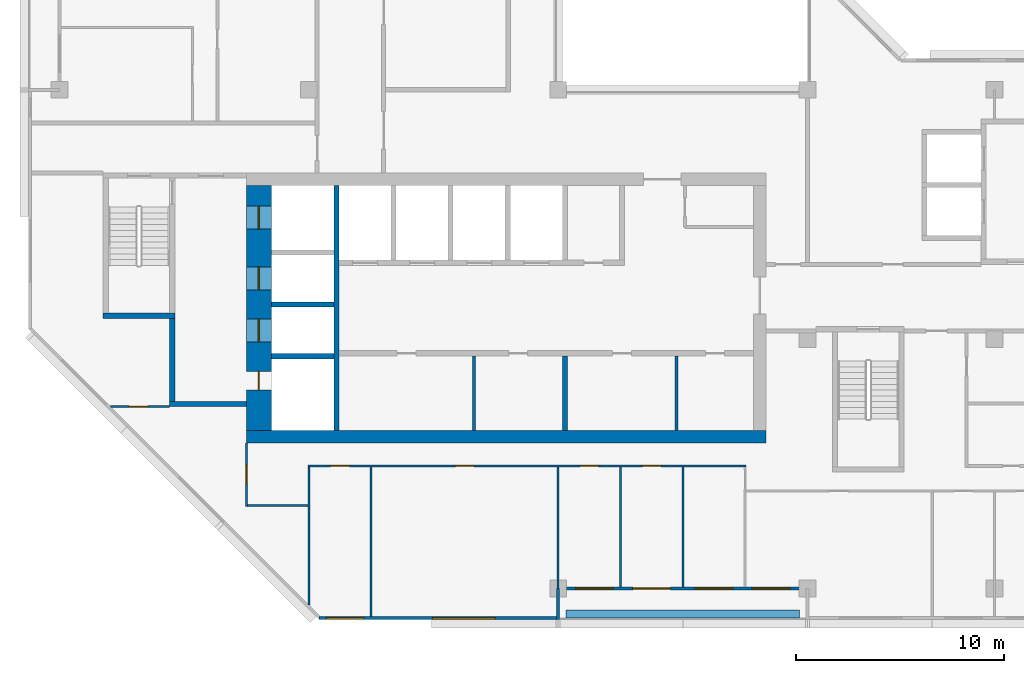
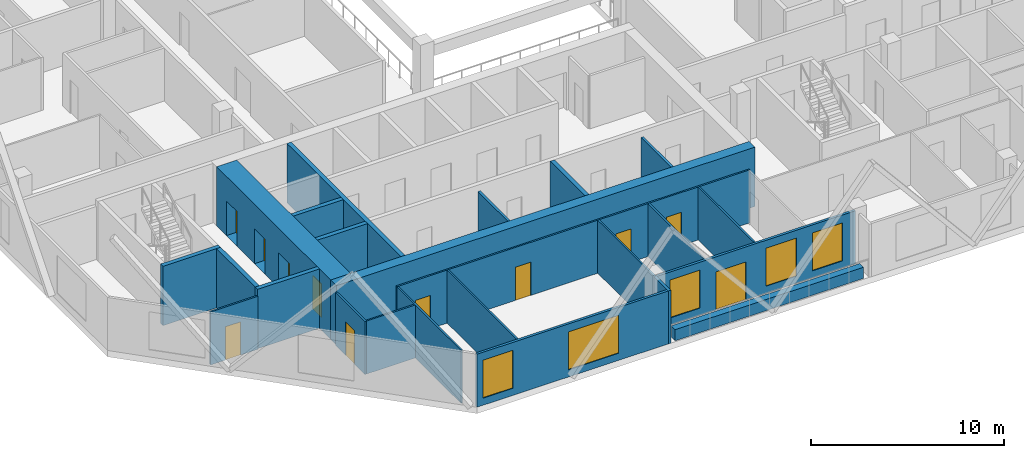
# One storey, part 4 of 13: 24 walls, 11 doors, 5 windows, 16 openings.
"""IFC4 building model written with IfcOpenShell, lengths in metres."""

from ifc_helpers import new_model, si_unit, direction, frame, frame_2d, origin, place, context, subcontext, project, spatial, rectangle, extrude, material, layer, layer_set, type_object, element, fill, save


model = new_model("IFC4")

# Units and contexts
model_context = context("Model", 3, precision=1e-05, world=origin(), true_north=direction((0.0, 1.0)))
body_context = subcontext(model_context, "Body", "Model", "MODEL_VIEW")
ifc_project = project(units=[si_unit("LENGTHUNIT", "METRE"), si_unit("AREAUNIT", "SQUARE_METRE"), si_unit("VOLUMEUNIT", "CUBIC_METRE"), si_unit("PLANEANGLEUNIT", "RADIAN"), si_unit("MASSUNIT", "GRAM", prefix="KILO")], contexts=[model_context])

# Site, building, storey
site_placement = place(None, origin())
site = spatial("IfcSite", under=ifc_project, at=site_placement, CompositionType="ELEMENT")
building_placement = place(site_placement, origin())
building = spatial("IfcBuilding", under=site, at=building_placement, Name="Chenar Terraces", CompositionType="ELEMENT")
storey_placement = place(building_placement, frame((0.0, 0.0, 288.39990234375)))
storey = spatial("IfcBuildingStorey", under=building, at=storey_placement, Name="L67", CompositionType="ELEMENT", Elevation=288.39990234375)

# Walls
ifc_material_1 = material(Name="Gypsum board on steel studs", Category="steel")
ifc_layer_1 = layer(ifc_material_1, 0.14990234375)
ifc_layer_set_1 = layer_set([ifc_layer_1], Name="Gypsum board on steel studs")
wall_type_1 = type_object("IfcWallType", Name="Core partition 150 gypsum board", PredefinedType="PARTITIONING", material=ifc_layer_set_1)
for number, where, z_axis, x_axis, name in (
    (1, (19.949951171875, 7.60009765625, 0.0), (0.0, 0.0, 1.0), (0.0, 1.0, 0.0), "Core partition CP1 freed bay wall"),
    (2, (29.699951171875, 7.60009765625, 0.0), (0.0, 0.0, 1.0), (0.0, 1.0, 0.0), "Core partition CP1 freed bay wall"),
):
    element("IfcWall", number, at=place(storey_placement, frame(where, z_axis=z_axis, x_axis=x_axis)), inside=storey, type_object=wall_type_1, Name=name, PredefinedType="PARTITIONING", context=body_context, shape_type="SweptSolid", body=[
        extrude(rectangle(XDim=3.599853515625, YDim=0.14990234375, at=frame_2d((1.7998046875, 0.0))), origin(), (0.0, 0.0, 1.0), 3.35009765625),
    ])

# Wall, openings, doors
ifc_material_2 = material(Name="Concrete C50/60", Category="concrete")
ifc_layer_2 = layer(ifc_material_2, 1.199951171875)
ifc_layer_set_2 = layer_set([ifc_layer_2], Name="Concrete C50/60")
wall_type_2 = type_object("IfcWallType", Name="Core wall 1200 Concrete C50/60", PredefinedType="SHEAR", material=ifc_layer_set_2)
wall_1_placement = place(storey_placement, frame((9.60009765625, 7.60009765625, 0.0), z_axis=(0.0, 0.0, 1.0), x_axis=(0.0, 1.0, 0.0)))
wall_1 = element("IfcWall", 3, at=wall_1_placement, inside=storey, type_object=wall_type_2, Name="Core wall W L67", PredefinedType="SHEAR", context=body_context, shape_type="SweptSolid", body=[
    extrude(rectangle(XDim=11.7998046875, YDim=1.199951171875, at=frame_2d((5.89990234375, 0.0))), origin(), (0.0, 0.0, 1.0), 3.75),
])
opening_1_placement = place(wall_1_placement, frame((4.27490234375, 0.0, 0.0)))
opening_1 = element("IfcOpeningElement", 4, at=opening_1_placement, cuts=wall_1, Name="Opening DL67-LD5", PredefinedType="OPENING", context=body_context, shape_type="SweptSolid", body=[
    extrude(rectangle(XDim=1.10009765625, YDim=2.199951171875, at=frame_2d((0.550048828125, 1.10009765625))), frame((0.0, 0.60986328125, 0.0), z_axis=(0.0, -1.0, 0.0), x_axis=(1.0, 0.0, 0.0)), (0.0, 0.0, 1.0), 1.219970703125),
])
opening_2_placement = place(wall_1_placement, frame((6.77490234375, 0.0, 0.0)))
opening_2 = element("IfcOpeningElement", 5, at=opening_2_placement, cuts=wall_1, Name="Opening DL67-LD6", PredefinedType="OPENING", context=body_context, shape_type="SweptSolid", body=[
    extrude(rectangle(XDim=1.10009765625, YDim=2.199951171875, at=frame_2d((0.550048828125, 1.10009765625))), frame((0.0, 0.60986328125, 0.0), z_axis=(0.0, -1.0, 0.0), x_axis=(1.0, 0.0, 0.0)), (0.0, 0.0, 1.0), 1.219970703125),
])
opening_3_placement = place(wall_1_placement, frame((9.699951171875, 0.0, 0.0)))
opening_3 = element("IfcOpeningElement", 6, at=opening_3_placement, cuts=wall_1, Name="Opening DL67-LD7", PredefinedType="OPENING", context=body_context, shape_type="SweptSolid", body=[
    extrude(rectangle(XDim=1.10009765625, YDim=2.199951171875, at=frame_2d((0.550048828125, 1.10009765625))), frame((0.0, 0.60986328125, 0.0), z_axis=(0.0, -1.0, 0.0), x_axis=(1.0, 0.0, 0.0)), (0.0, 0.0, 1.0), 1.219970703125),
])
opening_4_placement = place(wall_1_placement, frame((1.949951171875, 0.0, 0.0)))
opening_4 = element("IfcOpeningElement", 7, at=opening_4_placement, cuts=wall_1, Name="Opening DL67-C4", PredefinedType="OPENING", context=body_context, shape_type="SweptSolid", body=[
    extrude(rectangle(XDim=0.89990234375, YDim=2.10009765625, at=frame_2d((0.449951171875, 1.050048828125))), frame((0.0, 0.60986328125, 0.0), z_axis=(0.0, -1.0, 0.0), x_axis=(1.0, 0.0, 0.0)), (0.0, 0.0, 1.0), 1.219970703125),
])
ifc_material_3 = material(Name="Stainless steel", Category="steel")
door_type_1 = type_object("IfcDoorType", Name="Lift landing door 1100 x 2200 sliding", OperationType="DOUBLE_DOOR_SLIDING", PredefinedType="DOOR", material=ifc_material_3)
door_1_placement = place(opening_1_placement, origin())
door_1 = element("IfcDoor", 8, at=door_1_placement, inside=storey, type_object=door_type_1, Name="Landing door S1", OperationType="DOUBLE_DOOR_SLIDING", OverallHeight=2.199951171875, OverallWidth=1.10009765625, PredefinedType="DOOR", context=body_context, shape_type="SweptSolid", body=[
    extrude(rectangle(XDim=1.10009765625, YDim=2.199951171875, at=frame_2d((0.550048828125, 1.10009765625))), frame((0.0, 0.02490234375, 0.0), z_axis=(0.0, -1.0, 0.0), x_axis=(1.0, 0.0, 0.0)), (0.0, 0.0, 1.0), 0.050048828125),
])
fill(opening_1, door_1)
door_2_placement = place(opening_2_placement, origin())
door_2 = element("IfcDoor", 9, at=door_2_placement, inside=storey, type_object=door_type_1, Name="Landing door F1", OperationType="DOUBLE_DOOR_SLIDING", OverallHeight=2.199951171875, OverallWidth=1.10009765625, PredefinedType="DOOR", context=body_context, shape_type="SweptSolid", body=[
    extrude(rectangle(XDim=1.10009765625, YDim=2.199951171875, at=frame_2d((0.550048828125, 1.10009765625))), frame((0.0, 0.02490234375, 0.0), z_axis=(0.0, -1.0, 0.0), x_axis=(1.0, 0.0, 0.0)), (0.0, 0.0, 1.0), 0.050048828125),
])
fill(opening_2, door_2)
door_3_placement = place(opening_3_placement, origin())
door_3 = element("IfcDoor", 10, at=door_3_placement, inside=storey, type_object=door_type_1, Name="Landing door F2", OperationType="DOUBLE_DOOR_SLIDING", OverallHeight=2.199951171875, OverallWidth=1.10009765625, PredefinedType="DOOR", context=body_context, shape_type="SweptSolid", body=[
    extrude(rectangle(XDim=1.10009765625, YDim=2.199951171875, at=frame_2d((0.550048828125, 1.10009765625))), frame((0.0, 0.02490234375, 0.0), z_axis=(0.0, -1.0, 0.0), x_axis=(1.0, 0.0, 0.0)), (0.0, 0.0, 1.0), 0.050048828125),
])
fill(opening_3, door_3)
ifc_material_4 = material(Name="Steel-framed fire-resisting door leaf", Category="steel")
door_type_2 = type_object("IfcDoorType", Name="Riser fire door FD60 900 x 2100", OperationType="SINGLE_SWING_LEFT", PredefinedType="DOOR", material=ifc_material_4)
door_4_placement = place(opening_4_placement, frame((0.89990234375, 0.0, 0.0), z_axis=(0.0, 0.0, 1.0), x_axis=(-1.0, 0.0, 0.0)))
door_4 = element("IfcDoor", 11, at=door_4_placement, inside=storey, type_object=door_type_2, Name="Riser door DL67-C4", OperationType="SINGLE_SWING_LEFT", OverallHeight=2.10009765625, OverallWidth=0.89990234375, PredefinedType="DOOR", context=body_context, shape_type="SweptSolid", body=[
    extrude(rectangle(XDim=0.89990234375, YDim=2.10009765625, at=frame_2d((0.449951171875, 1.050048828125))), frame((0.0, 0.02490234375, 0.0), z_axis=(0.0, -1.0, 0.0), x_axis=(1.0, 0.0, 0.0)), (0.0, 0.0, 1.0), 0.050048828125),
])
fill(opening_4, door_4)

# Walls
ifc_material_5 = material(Name="Concrete C50/60", Category="concrete")
ifc_layer_3 = layer(ifc_material_5, 0.25)
ifc_layer_set_3 = layer_set([ifc_layer_3], Name="Concrete C50/60")
wall_type_3 = type_object("IfcWallType", Name="Core wall 250 Concrete C50/60", PredefinedType="SHEAR", material=ifc_layer_set_3)
wall_2_placement = place(storey_placement, frame((13.324951171875, 7.60009765625, 0.0), z_axis=(0.0, 0.0, 1.0), x_axis=(0.0, 1.0, 0.0)))
element("IfcWall", 12, at=wall_2_placement, inside=storey, type_object=wall_type_3, Name="Core wall WI L67", PredefinedType="SHEAR", context=body_context, shape_type="SweptSolid", body=[
    extrude(rectangle(XDim=11.7998046875, YDim=0.25, at=frame_2d((5.89990234375, 0.0))), origin(), (0.0, 0.0, 1.0), 3.75),
])
for number, where, z_axis, x_axis, name in (
    (13, (10.199951171875, 11.175048828125, 0.0), (0.0, 0.0, 1.0), (1.0, 0.0, 0.0), "Core wall HW0 L67"),
    (14, (10.199951171875, 13.675048828125, 0.0), (0.0, 0.0, 1.0), (1.0, 0.0, 0.0), "Core wall HW1 L67"),
):
    element("IfcWall", number, at=place(storey_placement, frame(where, z_axis=z_axis, x_axis=x_axis)), inside=storey, type_object=wall_type_3, Name=name, PredefinedType="SHEAR", context=body_context, shape_type="SweptSolid", body=[
        extrude(rectangle(XDim=3.0, YDim=0.25, at=frame_2d((1.5, 0.0))), origin(), (0.0, 0.0, 1.0), 3.75),
    ])
wall_3_placement = place(storey_placement, frame((24.324951171875, 7.60009765625, 0.0), z_axis=(0.0, 0.0, 1.0), x_axis=(0.0, 1.0, 0.0)))
element("IfcWall", 15, at=wall_3_placement, inside=storey, type_object=wall_type_3, Name="Core wall SS3 L67", PredefinedType="SHEAR", context=body_context, shape_type="SweptSolid", body=[
    extrude(rectangle(XDim=3.599853515625, YDim=0.25, at=frame_2d((1.7998046875, 0.0))), origin(), (0.0, 0.0, 1.0), 3.75),
])
wall_4_placement = place(storey_placement, frame((2.10009765625, 13.125, 0.0), z_axis=(0.0, 0.0, 1.0), x_axis=(1.0, 0.0, 0.0)))
element("IfcWall", 16, at=wall_4_placement, inside=storey, type_object=wall_type_3, Name="Core wall ST1_S L67", PredefinedType="SHEAR", context=body_context, shape_type="SweptSolid", body=[
    extrude(rectangle(XDim=3.449951171875, YDim=0.25, at=frame_2d((1.72509765625, 0.0))), origin(), (0.0, 0.0, 1.0), 3.75),
])
wall_5_placement = place(storey_placement, frame((5.300048828125, 8.875, 0.0), z_axis=(0.0, 0.0, 1.0), x_axis=(1.0, 0.0, 0.0)))
element("IfcWall", 17, at=wall_5_placement, inside=storey, type_object=wall_type_3, Name="Core wall FFL_S L67", PredefinedType="SHEAR", context=body_context, shape_type="SweptSolid", body=[
    extrude(rectangle(XDim=3.699951171875, YDim=0.25, at=frame_2d((1.85009765625, 0.0))), origin(), (0.0, 0.0, 1.0), 3.75),
])
wall_6_placement = place(storey_placement, frame((5.425048828125, 9.0, 0.0), z_axis=(0.0, 0.0, 1.0), x_axis=(0.0, 1.0, 0.0)))
element("IfcWall", 18, at=wall_6_placement, inside=storey, type_object=wall_type_3, Name="Core wall FFL_W L67", PredefinedType="SHEAR", context=body_context, shape_type="SweptSolid", body=[
    extrude(rectangle(XDim=4.0, YDim=0.25, at=frame_2d((2.0, 0.0))), origin(), (0.0, 0.0, 1.0), 3.75),
])
ifc_material_6 = material(Name="Concrete C50/60", Category="concrete")
ifc_layer_4 = layer(ifc_material_6, 0.60009765625)
ifc_layer_set_4 = layer_set([ifc_layer_4], Name="Concrete C50/60")
wall_type_4 = type_object("IfcWallType", Name="Core wall 600 Concrete C50/60", PredefinedType="SHEAR", material=ifc_layer_set_4)
wall_7_placement = place(storey_placement, frame((9.0, 7.300048828125, 0.0), z_axis=(0.0, 0.0, 1.0), x_axis=(1.0, 0.0, 0.0)))
element("IfcWall", 19, at=wall_7_placement, inside=storey, type_object=wall_type_4, Name="Core wall S L67", PredefinedType="SHEAR", context=body_context, shape_type="SweptSolid", body=[
    extrude(rectangle(XDim=25.0, YDim=0.60009765625, at=frame_2d((12.5, 0.0))), origin(), (0.0, 0.0, 1.0), 3.75),
])

# Wall, openings, windows
ifc_material_7 = material(Name="Aluminium framed glazing", Category="aluminium")
ifc_layer_5 = layer(ifc_material_7, 0.14990234375)
ifc_layer_set_5 = layer_set([ifc_layer_5], Name="Aluminium framed glazing")
wall_type_5 = type_object("IfcWallType", Name="Glazed flush facade wall 150", PredefinedType="SOLIDWALL", material=ifc_layer_set_5)
wall_8_placement = place(storey_placement, frame((12.5, -1.425048828125, 0.0), z_axis=(0.0, 0.0, 1.0), x_axis=(1.0, 0.0, 0.0)))
wall_8 = element("IfcWall", 20, at=wall_8_placement, inside=storey, type_object=wall_type_5, Name="Glazed flush facade wall", PredefinedType="SOLIDWALL", context=body_context, shape_type="SweptSolid", body=[
    extrude(rectangle(XDim=11.425048828125, YDim=0.14990234375, at=frame_2d((5.71240234375, 0.0))), origin(), (0.0, 0.0, 1.0), 3.35009765625),
])
opening_5_placement = place(wall_8_placement, frame((0.35009765625, 0.0, 0.449951171875)))
opening_5 = element("IfcOpeningElement", 21, at=opening_5_placement, cuts=wall_8, Name="Opening W180x240", PredefinedType="OPENING", context=body_context, shape_type="SweptSolid", body=[
    extrude(rectangle(XDim=1.800048828125, YDim=2.39990234375, at=frame_2d((0.89990234375, 1.199951171875))), frame((0.0, 0.0849609375, 0.0), z_axis=(0.0, -1.0, 0.0), x_axis=(1.0, 0.0, 0.0)), (0.0, 0.0, 1.0), 0.169921875),
])
opening_6_placement = place(wall_8_placement, frame((5.46240234375, 0.0, 0.449951171875)))
opening_6 = element("IfcOpeningElement", 22, at=opening_6_placement, cuts=wall_8, Name="Opening W300x240", PredefinedType="OPENING", context=body_context, shape_type="SweptSolid", body=[
    extrude(rectangle(XDim=3.0, YDim=2.39990234375, at=frame_2d((1.5, 1.199951171875))), frame((0.0, 0.0849609375, 0.0), z_axis=(0.0, -1.0, 0.0), x_axis=(1.0, 0.0, 0.0)), (0.0, 0.0, 1.0), 0.169921875),
])
ifc_material_8 = material(Name="Low emissivity double glazing, aluminium frame", Category="aluminium")
window_type_1 = type_object("IfcWindowType", Name="Fixed light 1800 x 2400", PartitioningType="SINGLE_PANEL", PredefinedType="WINDOW", material=ifc_material_8)
window_1_placement = place(opening_5_placement, origin())
window_1 = element("IfcWindow", 23, at=window_1_placement, inside=storey, type_object=window_type_1, Name="Window", OverallHeight=2.39990234375, OverallWidth=1.800048828125, PartitioningType="SINGLE_PANEL", PredefinedType="WINDOW", context=body_context, shape_type="SweptSolid", body=[
    extrude(rectangle(XDim=1.800048828125, YDim=2.39990234375, at=frame_2d((0.89990234375, 1.199951171875))), frame((0.0, 0.030029296875, 0.0), z_axis=(0.0, -1.0, 0.0), x_axis=(1.0, 0.0, 0.0)), (0.0, 0.0, 1.0), 0.06005859375),
])
fill(opening_5, window_1)
ifc_material_9 = material(Name="Low emissivity double glazing, aluminium frame", Category="aluminium")
window_type_2 = type_object("IfcWindowType", Name="Fixed light 3000 x 2400", PartitioningType="SINGLE_PANEL", PredefinedType="WINDOW", material=ifc_material_9)
window_2_placement = place(opening_6_placement, origin())
window_2 = element("IfcWindow", 24, at=window_2_placement, inside=storey, type_object=window_type_2, Name="Window", OverallHeight=2.39990234375, OverallWidth=3.0, PartitioningType="SINGLE_PANEL", PredefinedType="WINDOW", context=body_context, shape_type="SweptSolid", body=[
    extrude(rectangle(XDim=3.0, YDim=2.39990234375, at=frame_2d((1.5, 1.199951171875))), frame((0.0, 0.030029296875, 0.0), z_axis=(0.0, -1.0, 0.0), x_axis=(1.0, 0.0, 0.0)), (0.0, 0.0, 1.0), 0.06005859375),
])
fill(opening_6, window_2)

# Wall, openings, windows, door
ifc_material_10 = material(Name="Aluminium framed glazing", Category="aluminium")
ifc_layer_6 = layer(ifc_material_10, 0.14990234375)
ifc_layer_set_6 = layer_set([ifc_layer_6], Name="Aluminium framed glazing")
wall_type_6 = type_object("IfcWallType", Name="Glazed loggia back wall 150", PredefinedType="SOLIDWALL", material=ifc_layer_set_6)
wall_9_placement = place(storey_placement, frame((24.074951171875, 0.0, 0.0), z_axis=(0.0, 0.0, 1.0), x_axis=(1.0, 0.0, 0.0)))
wall_9 = element("IfcWall", 25, at=wall_9_placement, inside=storey, type_object=wall_type_6, Name="Glazed loggia back wall", PredefinedType="SOLIDWALL", context=body_context, shape_type="SweptSolid", body=[
    extrude(rectangle(XDim=11.85009765625, YDim=0.14990234375, at=frame_2d((5.925048828125, 0.0))), origin(), (0.0, 0.0, 1.0), 3.35009765625),
])
opening_7_placement = place(wall_9_placement, frame((0.77490234375, 0.0, 0.449951171875)))
opening_7 = element("IfcOpeningElement", 26, at=opening_7_placement, cuts=wall_9, Name="Opening W180x240", PredefinedType="OPENING", context=body_context, shape_type="SweptSolid", body=[
    extrude(rectangle(XDim=1.800048828125, YDim=2.39990234375, at=frame_2d((0.89990234375, 1.199951171875))), frame((0.0, 0.0849609375, 0.0), z_axis=(0.0, -1.0, 0.0), x_axis=(1.0, 0.0, 0.0)), (0.0, 0.0, 1.0), 0.169921875),
])
opening_8_placement = place(wall_9_placement, frame((3.52490234375, 0.0, 0.0)))
opening_8 = element("IfcOpeningElement", 27, at=opening_8_placement, cuts=wall_9, Name="Opening DL67-G5", PredefinedType="OPENING", context=body_context, shape_type="SweptSolid", body=[
    extrude(rectangle(XDim=1.800048828125, YDim=2.39990234375, at=frame_2d((0.89990234375, 1.199951171875))), frame((0.0, 0.0849609375, 0.0), z_axis=(0.0, -1.0, 0.0), x_axis=(1.0, 0.0, 0.0)), (0.0, 0.0, 1.0), 0.169921875),
])
opening_9_placement = place(wall_9_placement, frame((6.52490234375, 0.0, 0.449951171875)))
opening_9 = element("IfcOpeningElement", 28, at=opening_9_placement, cuts=wall_9, Name="Opening W180x240", PredefinedType="OPENING", context=body_context, shape_type="SweptSolid", body=[
    extrude(rectangle(XDim=1.800048828125, YDim=2.39990234375, at=frame_2d((0.89990234375, 1.199951171875))), frame((0.0, 0.0849609375, 0.0), z_axis=(0.0, -1.0, 0.0), x_axis=(1.0, 0.0, 0.0)), (0.0, 0.0, 1.0), 0.169921875),
])
opening_10_placement = place(wall_9_placement, frame((9.27490234375, 0.0, 0.449951171875)))
opening_10 = element("IfcOpeningElement", 29, at=opening_10_placement, cuts=wall_9, Name="Opening W180x240", PredefinedType="OPENING", context=body_context, shape_type="SweptSolid", body=[
    extrude(rectangle(XDim=1.800048828125, YDim=2.39990234375, at=frame_2d((0.89990234375, 1.199951171875))), frame((0.0, 0.0849609375, 0.0), z_axis=(0.0, -1.0, 0.0), x_axis=(1.0, 0.0, 0.0)), (0.0, 0.0, 1.0), 0.169921875),
])
window_3_placement = place(opening_7_placement, origin())
window_3 = element("IfcWindow", 30, at=window_3_placement, inside=storey, type_object=window_type_1, Name="Window", OverallHeight=2.39990234375, OverallWidth=1.800048828125, PartitioningType="SINGLE_PANEL", PredefinedType="WINDOW", context=body_context, shape_type="SweptSolid", body=[
    extrude(rectangle(XDim=1.800048828125, YDim=2.39990234375, at=frame_2d((0.89990234375, 1.199951171875))), frame((0.0, 0.030029296875, 0.0), z_axis=(0.0, -1.0, 0.0), x_axis=(1.0, 0.0, 0.0)), (0.0, 0.0, 1.0), 0.06005859375),
])
fill(opening_7, window_3)
window_4_placement = place(opening_9_placement, origin())
window_4 = element("IfcWindow", 31, at=window_4_placement, inside=storey, type_object=window_type_1, Name="Window", OverallHeight=2.39990234375, OverallWidth=1.800048828125, PartitioningType="SINGLE_PANEL", PredefinedType="WINDOW", context=body_context, shape_type="SweptSolid", body=[
    extrude(rectangle(XDim=1.800048828125, YDim=2.39990234375, at=frame_2d((0.89990234375, 1.199951171875))), frame((0.0, 0.030029296875, 0.0), z_axis=(0.0, -1.0, 0.0), x_axis=(1.0, 0.0, 0.0)), (0.0, 0.0, 1.0), 0.06005859375),
])
fill(opening_9, window_4)
window_5_placement = place(opening_10_placement, origin())
window_5 = element("IfcWindow", 32, at=window_5_placement, inside=storey, type_object=window_type_1, Name="Window", OverallHeight=2.39990234375, OverallWidth=1.800048828125, PartitioningType="SINGLE_PANEL", PredefinedType="WINDOW", context=body_context, shape_type="SweptSolid", body=[
    extrude(rectangle(XDim=1.800048828125, YDim=2.39990234375, at=frame_2d((0.89990234375, 1.199951171875))), frame((0.0, 0.030029296875, 0.0), z_axis=(0.0, -1.0, 0.0), x_axis=(1.0, 0.0, 0.0)), (0.0, 0.0, 1.0), 0.06005859375),
])
fill(opening_10, window_5)
ifc_material_11 = material(Name="Low emissivity double glazing, aluminium frame", Category="aluminium")
door_type_3 = type_object("IfcDoorType", Name="Loggia glazed double door 1800 x 2400", OperationType="DOUBLE_DOOR_SINGLE_SWING", PredefinedType="DOOR", material=ifc_material_11)
door_5_placement = place(opening_8_placement, frame((1.800048828125, 0.0, 0.0), z_axis=(0.0, 0.0, 1.0), x_axis=(-1.0, 0.0, 0.0)))
door_5 = element("IfcDoor", 33, at=door_5_placement, inside=storey, type_object=door_type_3, Name="Loggia glazed door", OperationType="DOUBLE_DOOR_SINGLE_SWING", OverallHeight=2.39990234375, OverallWidth=1.800048828125, PredefinedType="DOOR", context=body_context, shape_type="SweptSolid", body=[
    extrude(rectangle(XDim=1.800048828125, YDim=2.39990234375, at=frame_2d((0.89990234375, 1.199951171875))), frame((0.0, 0.02490234375, 0.0), z_axis=(0.0, -1.0, 0.0), x_axis=(1.0, 0.0, 0.0)), (0.0, 0.0, 1.0), 0.050048828125),
])
fill(opening_8, door_5)

# Wall, opening, door
ifc_material_12 = material(Name="Gypsum board on steel studs", Category="steel")
ifc_layer_7 = layer(ifc_material_12, 0.10009765625)
ifc_layer_set_7 = layer_set([ifc_layer_7], Name="Gypsum board on steel studs")
wall_type_7 = type_object("IfcWallType", Name="Gypsum partition 100", PredefinedType="PARTITIONING", material=ifc_layer_set_7)
wall_10_placement = place(storey_placement, frame((2.4609375, 8.75, 0.0), z_axis=(0.0, 0.0, 1.0), x_axis=(1.0, 0.0, 0.0)))
wall_10 = element("IfcWall", 34, at=wall_10_placement, inside=storey, type_object=wall_type_7, Name="Partition L67-009", PredefinedType="PARTITIONING", context=body_context, shape_type="SweptSolid", body=[
    extrude(rectangle(XDim=2.839111328125, YDim=0.10009765625, at=frame_2d((1.41943359375, 0.0))), origin(), (0.0, 0.0, 1.0), 3.35009765625),
])
opening_11_placement = place(wall_10_placement, frame((0.888916015625, 0.0, 0.0)))
opening_11 = element("IfcOpeningElement", 35, at=opening_11_placement, cuts=wall_10, Name="Opening DL67-43", PredefinedType="OPENING", context=body_context, shape_type="SweptSolid", body=[
    extrude(rectangle(XDim=0.89990234375, YDim=2.10009765625, at=frame_2d((0.449951171875, 1.050048828125))), frame((0.0, 0.06005859375, 0.0), z_axis=(0.0, -1.0, 0.0), x_axis=(1.0, 0.0, 0.0)), (0.0, 0.0, 1.0), 0.1201171875),
])
ifc_material_13 = material(Name="Veneered timber door leaf", Category="wood")
door_type_4 = type_object("IfcDoorType", Name="Door 900 x 2100", OperationType="SINGLE_SWING_LEFT", PredefinedType="DOOR", material=ifc_material_13)
door_6_placement = place(opening_11_placement, frame((0.89990234375, 0.0, 0.0), z_axis=(0.0, 0.0, 1.0), x_axis=(-1.0, 0.0, 0.0)))
door_6 = element("IfcDoor", 36, at=door_6_placement, inside=storey, type_object=door_type_4, Name="Door DL67-43", OperationType="SINGLE_SWING_RIGHT", OverallHeight=2.10009765625, OverallWidth=0.89990234375, PredefinedType="DOOR", context=body_context, shape_type="SweptSolid", body=[
    extrude(rectangle(XDim=0.89990234375, YDim=2.10009765625, at=frame_2d((0.449951171875, 1.050048828125))), frame((0.0, 0.02490234375, 0.0), z_axis=(0.0, -1.0, 0.0), x_axis=(1.0, 0.0, 0.0)), (0.0, 0.0, 1.0), 0.050048828125),
])
fill(opening_11, door_6)

wall_11_placement = place(storey_placement, frame((9.0, 3.949951171875, 0.0), z_axis=(0.0, 0.0, 1.0), x_axis=(0.0, 1.0, 0.0)))
wall_11 = element("IfcWall", 37, at=wall_11_placement, inside=storey, type_object=wall_type_7, Name="Partition L67-025", PredefinedType="PARTITIONING", context=body_context, shape_type="SweptSolid", body=[
    extrude(rectangle(XDim=3.050048828125, YDim=0.10009765625, at=frame_2d((1.52490234375, 0.0))), origin(), (0.0, 0.0, 1.0), 3.35009765625),
])
opening_12_placement = place(wall_11_placement, frame((1.10009765625, 0.0, 0.0)))
opening_12 = element("IfcOpeningElement", 38, at=opening_12_placement, cuts=wall_11, Name="Opening DL67-42", PredefinedType="OPENING", context=body_context, shape_type="SweptSolid", body=[
    extrude(rectangle(XDim=0.89990234375, YDim=2.10009765625, at=frame_2d((0.449951171875, 1.050048828125))), frame((0.0, 0.06005859375, 0.0), z_axis=(0.0, -1.0, 0.0), x_axis=(1.0, 0.0, 0.0)), (0.0, 0.0, 1.0), 0.1201171875),
])
door_7_placement = place(opening_12_placement, origin())
door_7 = element("IfcDoor", 39, at=door_7_placement, inside=storey, type_object=door_type_4, Name="Door DL67-42", OperationType="SINGLE_SWING_LEFT", OverallHeight=2.10009765625, OverallWidth=0.89990234375, PredefinedType="DOOR", context=body_context, shape_type="SweptSolid", body=[
    extrude(rectangle(XDim=0.89990234375, YDim=2.10009765625, at=frame_2d((0.449951171875, 1.050048828125))), frame((0.0, 0.02490234375, 0.0), z_axis=(0.0, -1.0, 0.0), x_axis=(1.0, 0.0, 0.0)), (0.0, 0.0, 1.0), 0.050048828125),
])
fill(opening_12, door_7)

# Wall
wall_12_placement = place(storey_placement, frame((9.050048828125, 4.0, 0.0), z_axis=(0.0, 0.0, 1.0), x_axis=(1.0, 0.0, 0.0)))
element("IfcWall", 40, at=wall_12_placement, inside=storey, type_object=wall_type_7, Name="Partition L67-026", PredefinedType="PARTITIONING", context=body_context, shape_type="SweptSolid", body=[
    extrude(rectangle(XDim=2.89990234375, YDim=0.10009765625, at=frame_2d((1.449951171875, 0.0))), origin(), (0.0, 0.0, 1.0), 3.35009765625),
])

# Wall, openings, doors
wall_13_placement = place(storey_placement, frame((11.949951171875, 5.89990234375, 0.0), z_axis=(0.0, 0.0, 1.0), x_axis=(1.0, 0.0, 0.0)))
wall_13 = element("IfcWall", 41, at=wall_13_placement, inside=storey, type_object=wall_type_7, Name="Partition L67-027", PredefinedType="PARTITIONING", context=body_context, shape_type="SweptSolid", body=[
    extrude(rectangle(XDim=21.10009765625, YDim=0.10009765625, at=frame_2d((10.550048828125, 0.0))), origin(), (0.0, 0.0, 1.0), 3.35009765625),
])
opening_13_placement = place(wall_13_placement, frame((1.10009765625, 0.0, 0.0)))
opening_13 = element("IfcOpeningElement", 42, at=opening_13_placement, cuts=wall_13, Name="Opening DL67-36", PredefinedType="OPENING", context=body_context, shape_type="SweptSolid", body=[
    extrude(rectangle(XDim=0.89990234375, YDim=2.10009765625, at=frame_2d((0.449951171875, 1.050048828125))), frame((0.0, 0.06005859375, 0.0), z_axis=(0.0, -1.0, 0.0), x_axis=(1.0, 0.0, 0.0)), (0.0, 0.0, 1.0), 0.1201171875),
])
opening_14_placement = place(wall_13_placement, frame((13.10009765625, 0.0, 0.0)))
opening_14 = element("IfcOpeningElement", 43, at=opening_14_placement, cuts=wall_13, Name="Opening DL67-37", PredefinedType="OPENING", context=body_context, shape_type="SweptSolid", body=[
    extrude(rectangle(XDim=0.89990234375, YDim=2.10009765625, at=frame_2d((0.449951171875, 1.050048828125))), frame((0.0, 0.06005859375, 0.0), z_axis=(0.0, -1.0, 0.0), x_axis=(1.0, 0.0, 0.0)), (0.0, 0.0, 1.0), 0.1201171875),
])
opening_15_placement = place(wall_13_placement, frame((16.10009765625, 0.0, 0.0)))
opening_15 = element("IfcOpeningElement", 44, at=opening_15_placement, cuts=wall_13, Name="Opening DL67-38", PredefinedType="OPENING", context=body_context, shape_type="SweptSolid", body=[
    extrude(rectangle(XDim=0.89990234375, YDim=2.10009765625, at=frame_2d((0.449951171875, 1.050048828125))), frame((0.0, 0.06005859375, 0.0), z_axis=(0.0, -1.0, 0.0), x_axis=(1.0, 0.0, 0.0)), (0.0, 0.0, 1.0), 0.1201171875),
])
opening_16_placement = place(wall_13_placement, frame((7.10009765625, 0.0, 0.0)))
opening_16 = element("IfcOpeningElement", 45, at=opening_16_placement, cuts=wall_13, Name="Opening DL67-46", PredefinedType="OPENING", context=body_context, shape_type="SweptSolid", body=[
    extrude(rectangle(XDim=0.89990234375, YDim=2.10009765625, at=frame_2d((0.449951171875, 1.050048828125))), frame((0.0, 0.06005859375, 0.0), z_axis=(0.0, -1.0, 0.0), x_axis=(1.0, 0.0, 0.0)), (0.0, 0.0, 1.0), 0.1201171875),
])
door_8_placement = place(opening_13_placement, frame((0.89990234375, 0.0, 0.0), z_axis=(0.0, 0.0, 1.0), x_axis=(-1.0, 0.0, 0.0)))
door_8 = element("IfcDoor", 46, at=door_8_placement, inside=storey, type_object=door_type_4, Name="Door DL67-36", OperationType="SINGLE_SWING_RIGHT", OverallHeight=2.10009765625, OverallWidth=0.89990234375, PredefinedType="DOOR", context=body_context, shape_type="SweptSolid", body=[
    extrude(rectangle(XDim=0.89990234375, YDim=2.10009765625, at=frame_2d((0.449951171875, 1.050048828125))), frame((0.0, 0.02490234375, 0.0), z_axis=(0.0, -1.0, 0.0), x_axis=(1.0, 0.0, 0.0)), (0.0, 0.0, 1.0), 0.050048828125),
])
fill(opening_13, door_8)
door_9_placement = place(opening_14_placement, frame((0.89990234375, 0.0, 0.0), z_axis=(0.0, 0.0, 1.0), x_axis=(-1.0, 0.0, 0.0)))
door_9 = element("IfcDoor", 47, at=door_9_placement, inside=storey, type_object=door_type_4, Name="Door DL67-37", OperationType="SINGLE_SWING_RIGHT", OverallHeight=2.10009765625, OverallWidth=0.89990234375, PredefinedType="DOOR", context=body_context, shape_type="SweptSolid", body=[
    extrude(rectangle(XDim=0.89990234375, YDim=2.10009765625, at=frame_2d((0.449951171875, 1.050048828125))), frame((0.0, 0.02490234375, 0.0), z_axis=(0.0, -1.0, 0.0), x_axis=(1.0, 0.0, 0.0)), (0.0, 0.0, 1.0), 0.050048828125),
])
fill(opening_14, door_9)
door_10_placement = place(opening_15_placement, frame((0.89990234375, 0.0, 0.0), z_axis=(0.0, 0.0, 1.0), x_axis=(-1.0, 0.0, 0.0)))
door_10 = element("IfcDoor", 48, at=door_10_placement, inside=storey, type_object=door_type_4, Name="Door DL67-38", OperationType="SINGLE_SWING_RIGHT", OverallHeight=2.10009765625, OverallWidth=0.89990234375, PredefinedType="DOOR", context=body_context, shape_type="SweptSolid", body=[
    extrude(rectangle(XDim=0.89990234375, YDim=2.10009765625, at=frame_2d((0.449951171875, 1.050048828125))), frame((0.0, 0.02490234375, 0.0), z_axis=(0.0, -1.0, 0.0), x_axis=(1.0, 0.0, 0.0)), (0.0, 0.0, 1.0), 0.050048828125),
])
fill(opening_15, door_10)
door_11_placement = place(opening_16_placement, frame((0.89990234375, 0.0, 0.0), z_axis=(0.0, 0.0, 1.0), x_axis=(-1.0, 0.0, 0.0)))
door_11 = element("IfcDoor", 49, at=door_11_placement, inside=storey, type_object=door_type_4, Name="Door DL67-46", OperationType="SINGLE_SWING_RIGHT", OverallHeight=2.10009765625, OverallWidth=0.89990234375, PredefinedType="DOOR", context=body_context, shape_type="SweptSolid", body=[
    extrude(rectangle(XDim=0.89990234375, YDim=2.10009765625, at=frame_2d((0.449951171875, 1.050048828125))), frame((0.0, 0.02490234375, 0.0), z_axis=(0.0, -1.0, 0.0), x_axis=(1.0, 0.0, 0.0)), (0.0, 0.0, 1.0), 0.050048828125),
])
fill(opening_16, door_11)

# Walls
wall_14_placement = place(storey_placement, frame((12.0, -0.787841796875, 0.0), z_axis=(0.0, 0.0, 1.0), x_axis=(0.0, 1.0, 0.0)))
element("IfcWall", 50, at=wall_14_placement, inside=storey, type_object=wall_type_7, Name="Partition L67-028", PredefinedType="PARTITIONING", context=body_context, shape_type="SweptSolid", body=[
    extrude(rectangle(XDim=6.637939453125, YDim=0.10009765625, at=frame_2d((3.31884765625, 0.0))), origin(), (0.0, 0.0, 1.0), 3.35009765625),
])
wall_15_placement = place(storey_placement, frame((15.0, -1.35009765625, 0.0), z_axis=(0.0, 0.0, 1.0), x_axis=(0.0, 1.0, 0.0)))
element("IfcWall", 51, at=wall_15_placement, inside=storey, type_object=wall_type_7, Name="Partition L67-030", PredefinedType="PARTITIONING", context=body_context, shape_type="SweptSolid", body=[
    extrude(rectangle(XDim=7.2001953125, YDim=0.10009765625, at=frame_2d((3.60009765625, 0.0))), origin(), (0.0, 0.0, 1.0), 3.35009765625),
])
wall_16_placement = place(storey_placement, frame((24.0, 0.0, 0.0), z_axis=(0.0, 0.0, 1.0), x_axis=(0.0, 1.0, 0.0)))
element("IfcWall", 52, at=wall_16_placement, inside=storey, type_object=wall_type_7, Name="Partition L67-043", PredefinedType="PARTITIONING", context=body_context, shape_type="SweptSolid", body=[
    extrude(rectangle(XDim=5.85009765625, YDim=0.10009765625, at=frame_2d((2.925048828125, 0.0))), origin(), (0.0, 0.0, 1.0), 3.35009765625),
])
for number, where, z_axis, x_axis, name in (
    (53, (27.0, 0.073974609375, 0.0), (0.0, 0.0, 1.0), (0.0, 1.0, 0.0), "Partition L67-044"),
    (54, (30.0, 0.073974609375, 0.0), (0.0, 0.0, 1.0), (0.0, 1.0, 0.0), "Partition L67-045"),
):
    element("IfcWall", number, at=place(storey_placement, frame(where, z_axis=z_axis, x_axis=x_axis)), inside=storey, type_object=wall_type_7, Name=name, PredefinedType="PARTITIONING", context=body_context, shape_type="SweptSolid", body=[
        extrude(rectangle(XDim=5.776123046875, YDim=0.10009765625, at=frame_2d((2.88818359375, 0.0))), origin(), (0.0, 0.0, 1.0), 3.35009765625),
    ])
ifc_material_14 = material(Name="Terracotta cladding on insulated backing", Category="masonry")
ifc_layer_8 = layer(ifc_material_14, 0.14990234375)
ifc_layer_set_8 = layer_set([ifc_layer_8], Name="Terracotta cladding on insulated backing")
wall_type_8 = type_object("IfcWallType", Name="Loggia return wall 150", PredefinedType="SOLIDWALL", material=ifc_layer_set_8)
wall_17_placement = place(storey_placement, frame((24.0, -1.5, 0.0), z_axis=(0.0, 0.0, 1.0), x_axis=(0.0, 1.0, 0.0)))
element("IfcWall", 55, at=wall_17_placement, inside=storey, type_object=wall_type_8, Name="Loggia return wall", PredefinedType="SOLIDWALL", context=body_context, shape_type="SweptSolid", body=[
    extrude(rectangle(XDim=1.5, YDim=0.14990234375, at=frame_2d((0.75, 0.0))), origin(), (0.0, 0.0, 1.0), 3.35009765625),
])
ifc_material_15 = material(Name="GRP planter trough")
ifc_layer_9 = layer(ifc_material_15, 0.39990234375)
ifc_layer_set_9 = layer_set([ifc_layer_9], Name="GRP planter trough")
wall_type_9 = type_object("IfcWallType", Name="Vertical greenery planter 400", PredefinedType="SOLIDWALL", material=ifc_layer_set_9)
wall_18_placement = place(storey_placement, frame((24.375, -1.22900390625, 0.0), z_axis=(0.0, 0.0, 1.0), x_axis=(1.0, 0.0, 0.0)))
element("IfcWall", 56, at=wall_18_placement, inside=storey, type_object=wall_type_9, Name="Vertical greenery planter", PredefinedType="SOLIDWALL", context=body_context, shape_type="SweptSolid", body=[
    extrude(rectangle(XDim=11.25, YDim=0.39990234375, at=frame_2d((5.625, 0.0))), origin(), (0.0, 0.0, 1.0), 0.7001953125),
])

save(model, "model.ifc")
